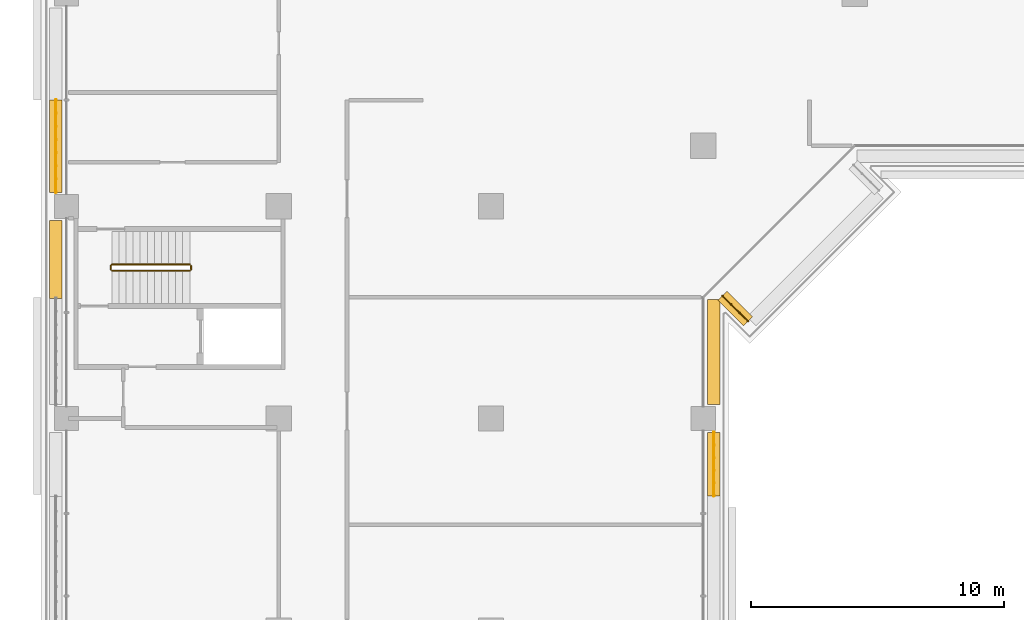
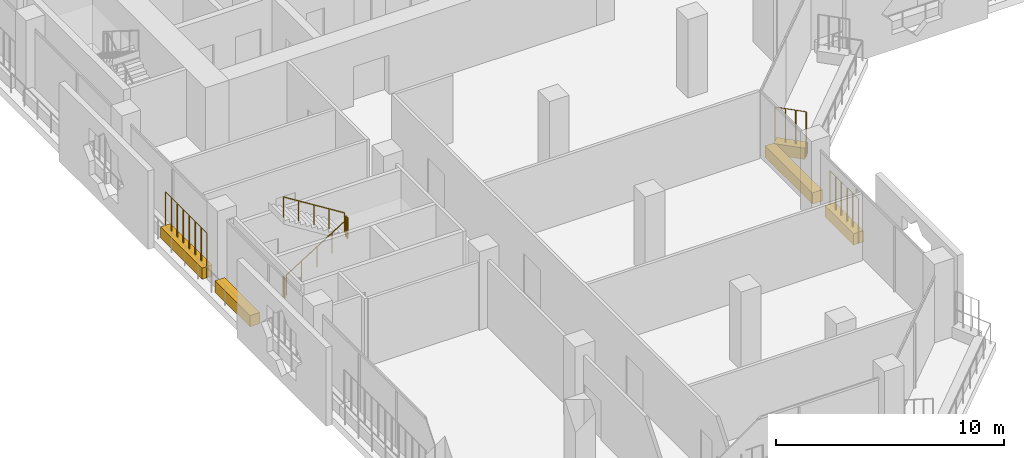
# One storey, part 17 of 23: 7 railings, 5 coverings.
"""IFC4 building model written with IfcOpenShell, lengths in metres."""

from ifc_helpers import new_model, si_unit, direction, frame, origin, origin_2d, place, context, subcontext, project, spatial, rectangle, circle, extrude, material, material_profile, profile_set, type_object, element, save


model = new_model("IFC4")

# Units and contexts
model_context = context("Model", 3, precision=1e-05, world=origin(), true_north=direction((0.0, 1.0)))
body_context = subcontext(model_context, "Body", "Model", "MODEL_VIEW")
ifc_project = project(units=[si_unit("LENGTHUNIT", "METRE"), si_unit("AREAUNIT", "SQUARE_METRE"), si_unit("VOLUMEUNIT", "CUBIC_METRE"), si_unit("PLANEANGLEUNIT", "RADIAN"), si_unit("MASSUNIT", "GRAM", prefix="KILO")], contexts=[model_context])

# Site, building, storey
site_placement = place(None, origin())
site = spatial("IfcSite", under=ifc_project, at=site_placement, CompositionType="ELEMENT")
building_placement = place(site_placement, origin())
building = spatial("IfcBuilding", under=site, at=building_placement, Name="Kawkab Arch Medical Tower", CompositionType="ELEMENT")
storey_placement = place(building_placement, frame((0.0, 0.0, 158.39990234375)))
storey = spatial("IfcBuildingStorey", under=building, at=storey_placement, Name="L36", CompositionType="ELEMENT", Elevation=158.39990234375)

# Coverings
ifc_material_1 = material(Name="Planting soil in a precast trough", Category="concrete")
ifc_material_profile = material_profile(ifc_material_1, rectangle(XDim=0.5, YDim=0.60009765625, at=origin_2d()), Name="Trough 500x600")
ifc_profile_set = profile_set([ifc_material_profile], Name="Planting soil in a precast trough")
covering_type = type_object("IfcCoveringType", Name="Planter trough 500 x 600", PredefinedType="USERDEFINED", material=ifc_profile_set)
covering_1_placement = place(storey_placement, frame((26.967041015625, -38.14697265625, 0.300048828125), z_axis=(-0.707192746389, 0.707020805532, 0.0), x_axis=(-0.707020805532, -0.707192746389, 0.0)))
element("IfcCovering", 1, at=covering_1_placement, inside=storey, type_object=covering_type, Name="Planter L36.LOG-01-02.9", ObjectType="PLANTER", PredefinedType="USERDEFINED", context=body_context, shape_type="SweptSolid", body=[
    extrude(rectangle(XDim=0.5, YDim=0.60009765625, at=origin_2d()), origin(), (0.0, 0.0, 1.0), 1.419921875),
])
covering_2_placement = place(storey_placement, frame((25.6201171875, -37.284912109375, 0.300048828125), z_axis=(0.0, -1.0, 0.0), x_axis=(1.0, 0.0, 0.0)))
element("IfcCovering", 2, at=covering_2_placement, inside=storey, type_object=covering_type, Name="Planter L36.LOG-01-02.10", ObjectType="PLANTER", PredefinedType="USERDEFINED", context=body_context, shape_type="SweptSolid", body=[
    extrude(rectangle(XDim=0.5, YDim=0.60009765625, at=origin_2d()), origin(), (0.0, 0.0, 1.0), 4.16015625),
])
covering_3_placement = place(storey_placement, frame((25.6201171875, -42.554931640625, 0.300048828125), z_axis=(0.0, -1.0, 0.0), x_axis=(1.0, 0.0, 0.0)))
element("IfcCovering", 3, at=covering_3_placement, inside=storey, type_object=covering_type, Name="Planter L36.LOG-01-02.11", ObjectType="PLANTER", PredefinedType="USERDEFINED", context=body_context, shape_type="SweptSolid", body=[
    extrude(rectangle(XDim=0.5, YDim=0.60009765625, at=origin_2d()), origin(), (0.0, 0.0, 1.0), 2.5),
])
covering_4_placement = place(storey_placement, frame((-0.419921875, -37.241943359375, 0.300048828125), z_axis=(0.0, 1.0, 0.0), x_axis=(-1.0, 0.0, 0.0)))
element("IfcCovering", 4, at=covering_4_placement, inside=storey, type_object=covering_type, Name="Planter L36.LOG-01-02.24", ObjectType="PLANTER", PredefinedType="USERDEFINED", context=body_context, shape_type="SweptSolid", body=[
    extrude(rectangle(XDim=0.5, YDim=0.60009765625, at=origin_2d()), origin(), (0.0, 0.0, 1.0), 3.0869140625),
])
covering_5_placement = place(storey_placement, frame((-0.419921875, -33.044921875, 0.300048828125), z_axis=(0.0, 1.0, 0.0), x_axis=(-1.0, 0.0, 0.0)))
element("IfcCovering", 5, at=covering_5_placement, inside=storey, type_object=covering_type, Name="Planter L36.LOG-01-02.25", ObjectType="PLANTER", PredefinedType="USERDEFINED", context=body_context, shape_type="SweptSolid", body=[
    extrude(rectangle(XDim=0.5, YDim=0.60009765625, at=origin_2d()), origin(), (0.0, 0.0, 1.0), 3.64501953125),
])

# Railings
ifc_material_2 = material(Name="Bronze anodised aluminium trellis for climbing plants", Category="aluminium")
railing_type_1 = type_object("IfcRailingType", Name="Planting trellis 2400", PredefinedType="USERDEFINED", material=ifc_material_2)
railing_1_placement = place(storey_placement, frame((26.967041015625, -38.14697265625, 0.0)))
element("IfcRailing", 6, at=railing_1_placement, inside=storey, type_object=railing_type_1, Name="Planting trellis L36.LOG-01-02.9", ObjectType="TRELLIS", PredefinedType="USERDEFINED", context=body_context, shape_type="SweptSolid", body=[
    extrude(circle(Radius=0.01513671875, at=origin_2d()), frame((0.0, 0.0, 2.384765625), z_axis=(-0.707192746389, 0.707020805532, 0.0), x_axis=(-0.707020805532, -0.707192746389, 0.0)), (0.0, 0.0, 1.0), 1.419921875),
    extrude(circle(Radius=0.030029296875, at=origin_2d()), origin(), (0.0, 0.0, 1.0), 2.369873046875),
    extrude(circle(Radius=0.030029296875, at=origin_2d()), frame((-0.334716796875, 0.334716796875, 0.0)), (0.0, 0.0, 1.0), 2.369873046875),
    extrude(circle(Radius=0.030029296875, at=origin_2d()), frame((-0.66943359375, 0.669189453125, 0.0)), (0.0, 0.0, 1.0), 2.369873046875),
    extrude(circle(Radius=0.030029296875, at=origin_2d()), frame((-1.004150390625, 1.00390625, 0.0)), (0.0, 0.0, 1.0), 2.369873046875),
])
railing_2_placement = place(storey_placement, frame((25.6201171875, -42.554931640625, 0.0)))
element("IfcRailing", 7, at=railing_2_placement, inside=storey, type_object=railing_type_1, Name="Planting trellis L36.LOG-01-02.11", ObjectType="TRELLIS", PredefinedType="USERDEFINED", context=body_context, shape_type="SweptSolid", body=[
    extrude(circle(Radius=0.01513671875, at=origin_2d()), frame((0.0, 0.0, 2.384765625), z_axis=(0.0, -1.0, 0.0), x_axis=(1.0, 0.0, 0.0)), (0.0, 0.0, 1.0), 2.5),
    extrude(circle(Radius=0.030029296875, at=origin_2d()), origin(), (0.0, 0.0, 1.0), 2.369873046875),
    extrude(circle(Radius=0.030029296875, at=origin_2d()), frame((0.0, -0.5, 0.0)), (0.0, 0.0, 1.0), 2.369873046875),
    extrude(circle(Radius=0.030029296875, at=origin_2d()), frame((0.0, -1.0, 0.0)), (0.0, 0.0, 1.0), 2.369873046875),
    extrude(circle(Radius=0.030029296875, at=origin_2d()), frame((0.0, -1.5, 0.0)), (0.0, 0.0, 1.0), 2.369873046875),
    extrude(circle(Radius=0.030029296875, at=origin_2d()), frame((0.0, -2.0, 0.0)), (0.0, 0.0, 1.0), 2.369873046875),
    extrude(circle(Radius=0.030029296875, at=origin_2d()), frame((0.0, -2.5, 0.0)), (0.0, 0.0, 1.0), 2.369873046875),
])
railing_3_placement = place(storey_placement, frame((-0.419921875, -33.044921875, 0.0)))
element("IfcRailing", 8, at=railing_3_placement, inside=storey, type_object=railing_type_1, Name="Planting trellis L36.LOG-01-02.25", ObjectType="TRELLIS", PredefinedType="USERDEFINED", context=body_context, shape_type="SweptSolid", body=[
    extrude(circle(Radius=0.01513671875, at=origin_2d()), frame((0.0, 0.0, 2.384765625), z_axis=(0.0, 1.0, 0.0), x_axis=(-1.0, 0.0, 0.0)), (0.0, 0.0, 1.0), 3.64501953125),
    extrude(circle(Radius=0.030029296875, at=origin_2d()), origin(), (0.0, 0.0, 1.0), 2.369873046875),
    extrude(circle(Radius=0.030029296875, at=origin_2d()), frame((0.0, 0.520751953125, 0.0)), (0.0, 0.0, 1.0), 2.369873046875),
    extrude(circle(Radius=0.030029296875, at=origin_2d()), frame((0.0, 1.04150390625, 0.0)), (0.0, 0.0, 1.0), 2.369873046875),
    extrude(circle(Radius=0.030029296875, at=origin_2d()), frame((0.0, 1.562255859375, 0.0)), (0.0, 0.0, 1.0), 2.369873046875),
    extrude(circle(Radius=0.030029296875, at=origin_2d()), frame((0.0, 2.082763671875, 0.0)), (0.0, 0.0, 1.0), 2.369873046875),
    extrude(circle(Radius=0.030029296875, at=origin_2d()), frame((0.0, 2.603515625, 0.0)), (0.0, 0.0, 1.0), 2.369873046875),
    extrude(circle(Radius=0.030029296875, at=origin_2d()), frame((0.0, 3.124267578125, 0.0)), (0.0, 0.0, 1.0), 2.369873046875),
    extrude(circle(Radius=0.030029296875, at=origin_2d()), frame((0.0, 3.64501953125, 0.0)), (0.0, 0.0, 1.0), 2.369873046875),
])
ifc_material_3 = material(Name="Stainless steel", Category="steel")
railing_type_2 = type_object("IfcRailingType", Name="Stair guard 1100", PredefinedType="GUARDRAIL", material=ifc_material_3)
railing_4_placement = place(storey_placement, frame((1.800048828125, -36.14990234375, 0.175048828125)))
element("IfcRailing", 9, at=railing_4_placement, inside=storey, type_object=railing_type_2, Name="L36 ST6 stair guard 1", PredefinedType="GUARDRAIL", context=body_context, shape_type="SweptSolid", body=[
    extrude(circle(Radius=0.02392578125, at=origin_2d()), frame((0.0, 0.0, 1.076171875), z_axis=(0.847979421464, 0.0, 0.530029150871), x_axis=(0.0, 1.0, 0.0)), (0.0, 0.0, 1.0), 3.632080078125),
    extrude(circle(Radius=0.02099609375, at=origin_2d()), origin(), (0.0, 0.0, 1.0), 1.052001953125),
    extrude(circle(Radius=0.02099609375, at=origin_2d()), frame((0.77001953125, 0.0, 0.481201171875)), (0.0, 0.0, 1.0), 1.052001953125),
    extrude(circle(Radius=0.02099609375, at=origin_2d()), frame((1.5400390625, 0.0, 0.96240234375)), (0.0, 0.0, 1.0), 1.052001953125),
    extrude(circle(Radius=0.02099609375, at=origin_2d()), frame((2.309814453125, 0.0, 1.44384765625)), (0.0, 0.0, 1.0), 1.052001953125),
    extrude(circle(Radius=0.02099609375, at=origin_2d()), frame((3.079833984375, 0.0, 1.925048828125)), (0.0, 0.0, 1.0), 1.052001953125),
])
railing_5_placement = place(storey_placement, frame((4.929931640625, -36.10009765625, 2.10009765625)))
element("IfcRailing", 10, at=railing_5_placement, inside=storey, type_object=railing_type_2, Name="L36 ST6 stair guard 2", PredefinedType="GUARDRAIL", context=body_context, shape_type="SweptSolid", body=[
    extrude(circle(Radius=0.02392578125, at=origin_2d()), frame((0.0, 0.0, 1.076171875), z_axis=(0.0, 1.0, 0.0), x_axis=(-1.0, 0.0, 0.0)), (0.0, 0.0, 1.0), 0.150146484375),
    extrude(circle(Radius=0.02099609375, at=origin_2d()), origin(), (0.0, 0.0, 1.0), 1.052001953125),
    extrude(circle(Radius=0.02099609375, at=origin_2d()), frame((0.0, 0.150146484375, 0.0)), (0.0, 0.0, 1.0), 1.052001953125),
])
railing_6_placement = place(storey_placement, frame((4.8798828125, -35.89990234375, 2.275146484375)))
element("IfcRailing", 11, at=railing_6_placement, inside=storey, type_object=railing_type_2, Name="L36 ST6 stair guard 3", PredefinedType="GUARDRAIL", context=body_context, shape_type="SweptSolid", body=[
    extrude(circle(Radius=0.02392578125, at=origin_2d()), frame((0.0, 0.0, 1.076171875), z_axis=(-0.847979421464, 0.0, 0.530029150871), x_axis=(0.0, -1.0, 0.0)), (0.0, 0.0, 1.0), 3.632080078125),
    extrude(circle(Radius=0.02099609375, at=origin_2d()), origin(), (0.0, 0.0, 1.0), 1.052001953125),
    extrude(circle(Radius=0.02099609375, at=origin_2d()), frame((-0.77001953125, 0.0, 0.481201171875)), (0.0, 0.0, 1.0), 1.052001953125),
    extrude(circle(Radius=0.02099609375, at=origin_2d()), frame((-1.5400390625, 0.0, 0.96240234375)), (0.0, 0.0, 1.0), 1.052001953125),
    extrude(circle(Radius=0.02099609375, at=origin_2d()), frame((-2.309814453125, 0.0, 1.44384765625)), (0.0, 0.0, 1.0), 1.052001953125),
    extrude(circle(Radius=0.02099609375, at=origin_2d()), frame((-3.079833984375, 0.0, 1.925048828125)), (0.0, 0.0, 1.0), 1.052001953125),
])
railing_7_placement = place(storey_placement, frame((1.75, -36.10009765625, 0.0)))
element("IfcRailing", 12, at=railing_7_placement, inside=storey, type_object=railing_type_2, Name="L36 ST6 stair guard 4", PredefinedType="GUARDRAIL", context=body_context, shape_type="SweptSolid", body=[
    extrude(circle(Radius=0.02392578125, at=origin_2d()), frame((0.0, 0.0, 1.076171875), z_axis=(0.0, 1.0, 0.0), x_axis=(-1.0, 0.0, 0.0)), (0.0, 0.0, 1.0), 0.150146484375),
    extrude(circle(Radius=0.02099609375, at=origin_2d()), origin(), (0.0, 0.0, 1.0), 1.052001953125),
    extrude(circle(Radius=0.02099609375, at=origin_2d()), frame((0.0, 0.150146484375, 0.0)), (0.0, 0.0, 1.0), 1.052001953125),
])

save(model, "model.ifc")
